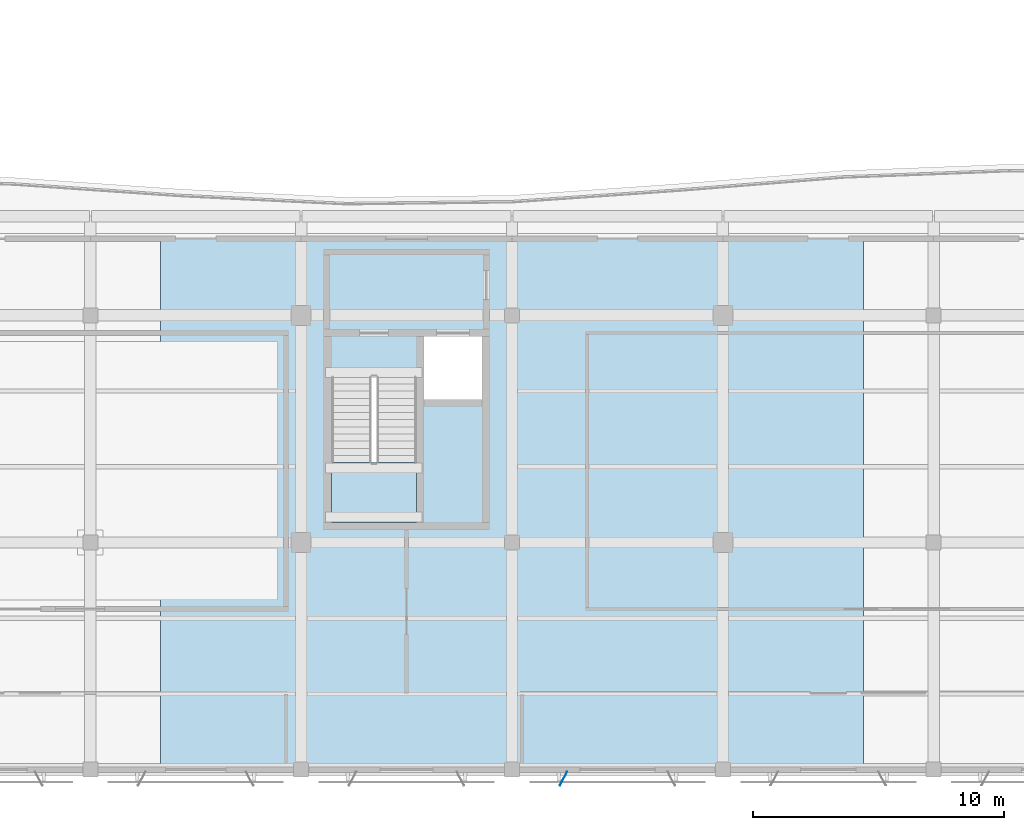
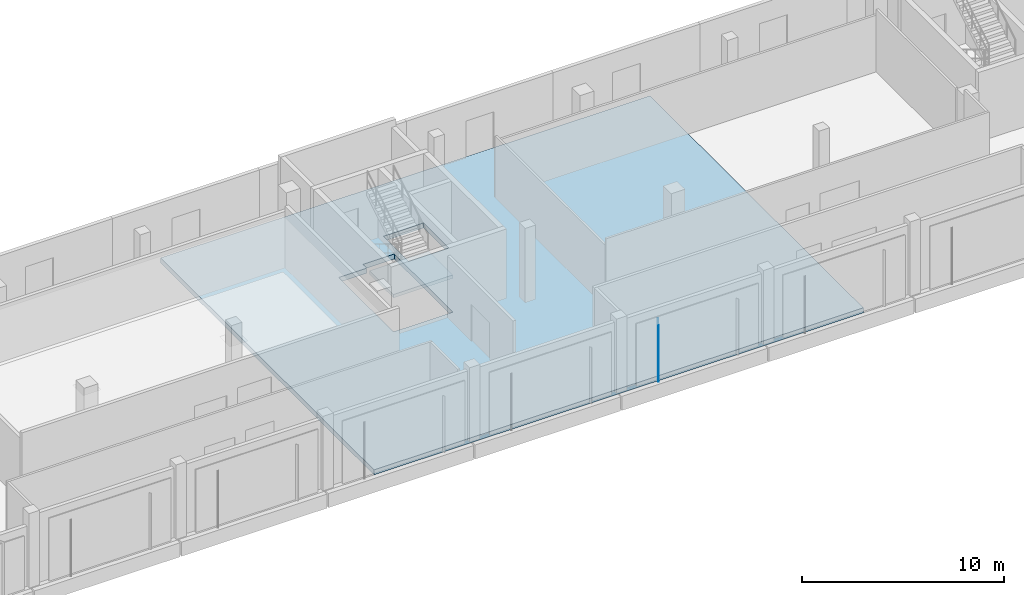
# One storey, part 9 of 28: 2 slabs, 1 plate, 1 element without a shape of its own.
"""IFC4 building model written with IfcOpenShell, lengths in metres."""

from ifc_helpers import new_model, si_unit, direction, frame, origin, origin_2d, place, context, subcontext, project, spatial, polyline, rectangle, outline, extrude, material, layer, layer_set, type_object, element, aggregate, save


model = new_model("IFC4")

# Units and contexts
model_context = context("Model", 3, precision=1e-05, world=origin(), true_north=direction((0.0, 1.0)))
body_context = subcontext(model_context, "Body", "Model", "MODEL_VIEW")
ifc_project = project(units=[si_unit("LENGTHUNIT", "METRE"), si_unit("AREAUNIT", "SQUARE_METRE"), si_unit("VOLUMEUNIT", "CUBIC_METRE"), si_unit("PLANEANGLEUNIT", "RADIAN"), si_unit("MASSUNIT", "GRAM", prefix="KILO")], contexts=[model_context])

# Site, building, storey
site_placement = place(None, origin())
site = spatial("IfcSite", under=ifc_project, at=site_placement, CompositionType="ELEMENT")
building_placement = place(site_placement, origin())
building = spatial("IfcBuilding", under=site, at=building_placement, Name="Khurvash Pelagic Aquarium", CompositionType="ELEMENT")
storey_placement = place(building_placement, frame((0.0, 0.0, 20.10009765625)))
storey = spatial("IfcBuildingStorey", under=building, at=storey_placement, Name="L04", CompositionType="ELEMENT", Elevation=20.10009765625)

# Slab
ifc_material_1 = material(Name="Concrete C40/50", Category="concrete")
ifc_layer_1 = layer(ifc_material_1, 0.300048828125)
ifc_layer_set_1 = layer_set([ifc_layer_1], Name="Concrete C40/50")
slab_type_1 = type_object("IfcSlabType", Name="FS-300", PredefinedType="FLOOR", material=ifc_layer_set_1)
slab_1_placement = place(storey_placement, frame((0.0, 0.0, -0.300048828125)))
element("IfcSlab", 1, at=slab_1_placement, inside=storey, type_object=slab_type_1, Name="L04 Structural Floor Slab FS-300 V3_SOUTH.2", PredefinedType="FLOOR", context=body_context, shape_type="SweptSolid", body=[
    extrude(outline(polyline([(81.199951171875, 2.60009765625), (81.199951171875, 23.75), (53.199951171875, 23.75), (53.199951171875, 2.60009765625), (81.199951171875, 2.60009765625)]), holes=[polyline([(61.60009765625, 18.25), (63.39990234375, 18.25), (63.39990234375, 12.449951171875), (60.0, 12.449951171875), (60.0, 17.8701171875), (61.60009765625, 17.8701171875), (61.60009765625, 18.25)]), polyline([(66.0, 17.35009765625), (63.699951171875, 17.35009765625), (63.699951171875, 19.85009765625), (66.0, 19.85009765625), (66.0, 17.35009765625)])]), origin(), (0.0, 0.0, 1.0), 0.300048828125),
])

# Stair, slab
ifc_material_2 = material(Name="Concrete C35/45", Category="concrete")
stair_type = type_object("IfcStairType", Name="ST-02", PredefinedType="HALF_TURN_STAIR", material=ifc_material_2)
stair_placement = place(storey_placement, origin())
stair = element("IfcStair", 2, at=stair_placement, inside=storey, type_object=stair_type, Name="L04 Protected Exit Stair ST-02", PredefinedType="HALF_TURN_STAIR")
ifc_layer_2 = layer(ifc_material_2, 0.199951171875)
ifc_layer_set_2 = layer_set([ifc_layer_2], Name="Concrete C35/45")
slab_type_2 = type_object("IfcSlabType", Name="SL-LND-200", PredefinedType="LANDING", material=ifc_layer_set_2)
slab_2_placement = place(storey_placement, frame((0.0, 0.0, 2.0498046875)))
slab_2 = element("IfcSlab", 3, at=slab_2_placement, type_object=slab_type_2, Name="ST-02 landing 1", PredefinedType="LANDING", context=body_context, shape_type="SweptSolid", body=[
    extrude(outline(polyline([(60.0, 14.830078125), (60.0, 12.449951171875), (63.39990234375, 12.449951171875), (63.39990234375, 14.830078125), (60.0, 14.830078125)])), origin(), (0.0, 0.0, 1.0), 0.2001953125),
])
aggregate(stair, [slab_2])

# Plate
ifc_material_3 = material(Name="Anodised aluminium AW-5005", Category="aluminium")
ifc_layer_3 = layer(ifc_material_3, 0.02392578125)
ifc_layer_set_3 = layer_set([ifc_layer_3], Name="Anodised aluminium AW-5005")
plate_type = type_object("IfcPlateType", Name="SP-01", PredefinedType="SHEET", material=ifc_layer_set_3)
plate_placement = place(storey_placement, frame((69.25, 2.241943359375, 0.14990234375), z_axis=(0.0, 0.0, 1.0), x_axis=(-0.469471562786, -0.882947592859, 0.0)))
element("IfcPlate", 4, at=plate_placement, inside=storey, type_object=plate_type, Name="L04 Parametric Folded Aluminium Solar Screen Fin SP-01 0085", PredefinedType="SHEET", context=body_context, shape_type="SweptSolid", body=[
    extrude(rectangle(XDim=0.6201171875, YDim=0.02392578125, at=origin_2d()), origin(), (0.0, 0.0, 1.0), 3.39990234375),
])

save(model, "model.ifc")
